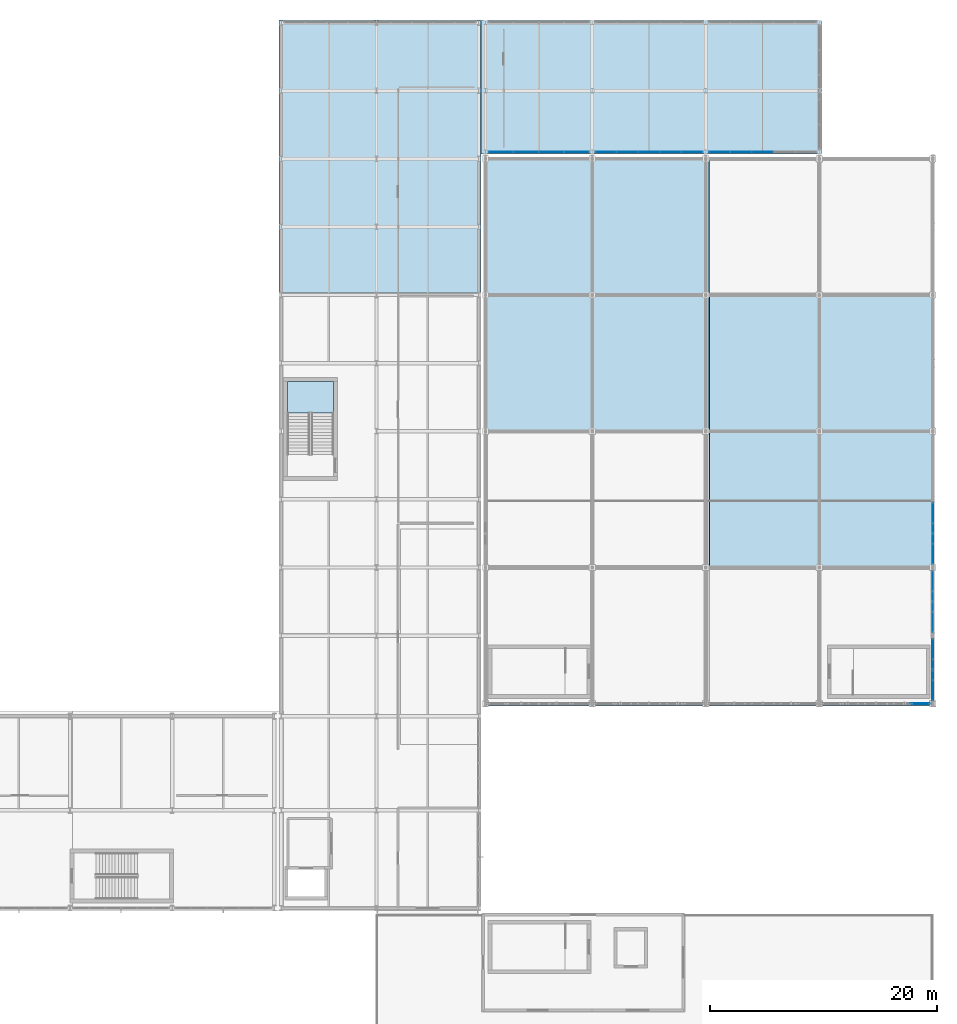
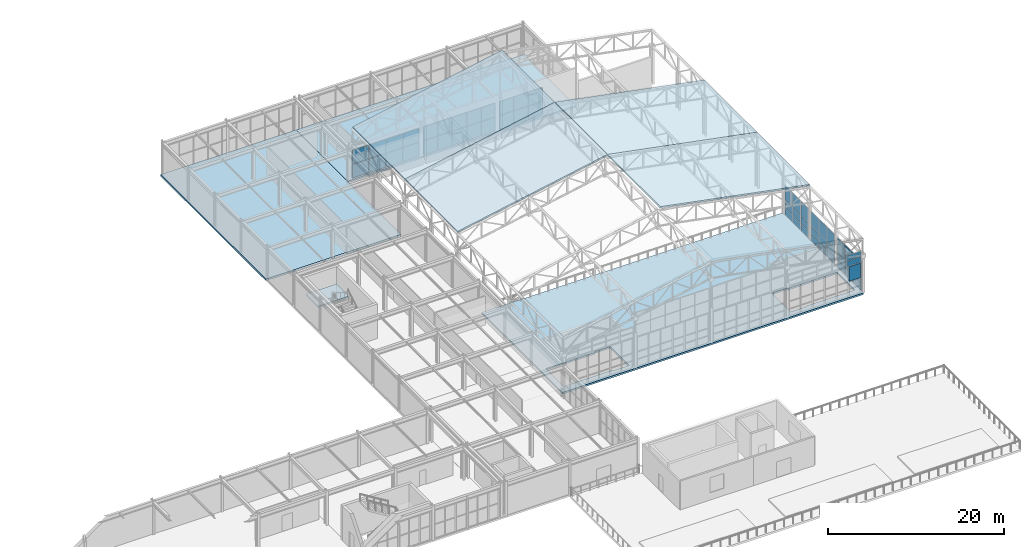
# One storey, part 92 of 112: 54 plates, 8 slabs, 10 elements without a shape of their own.
"""IFC4 building model written with IfcOpenShell, lengths in metres."""

import ifcopenshell
import ifcopenshell.guid

model = None  # the IFC model being written
_history = None  # IfcOwnerHistory: only IFC2X3 demands one
_inside = {}  # id of a spatial element -> (the spatial element, [elements in it])
_under = {}  # id of a project, library or spatial element -> (it, [spatial elements below it])
_declared = {}  # id of a project -> (the project, [libraries it declares])
_typed = {}  # id of a type object -> (the type object, [elements of that type])
_made_of = {}  # id of a material, layer set ... -> (it, [elements and type objects made of it])


def new_model(schema):
    """Start an empty IFC model of exactly this schema.

    Asked for "IFC4X3", IfcOpenShell would pick the latest addendum, in which some entities
    have other attributes; the version numbers below select the first issue.
    IFC2X3 requires an IfcOwnerHistory on every rooted entity: one is made here for all.
    """
    global model, _history
    if schema == "IFC4X3":
        model = ifcopenshell.file(schema_version=(4, 3, 0, 0))
    else:
        model = ifcopenshell.file(schema=schema)
    _inside.clear()
    _under.clear()
    _declared.clear()
    _typed.clear()
    _made_of.clear()
    _history = None
    if model.schema == "IFC2X3":
        org = make("IfcOrganization", Name="unknown")
        user = make(
            "IfcPersonAndOrganization",
            ThePerson=make("IfcPerson", FamilyName="unknown"),
            TheOrganization=org,
        )
        app = make(
            "IfcApplication",
            ApplicationDeveloper=org,
            Version="unknown",
            ApplicationFullName="unknown",
            ApplicationIdentifier="unknown",
        )
        _history = make(
            "IfcOwnerHistory",
            OwningUser=user,
            OwningApplication=app,
            ChangeAction="ADDED",
            CreationDate=0,
        )
    return model


def make(cls, **values):
    """One entity of the class cls with the attributes given. An attribute that is None is left unset."""
    return model.create_entity(
        cls, **{name: value for name, value in values.items() if value is not None}
    )


def rooted(cls, **values):
    """An entity with a GlobalId (a new one), such as an element, a storey or a relation."""
    return make(cls, GlobalId=ifcopenshell.guid.new(), OwnerHistory=_history, **values)


def si_unit(unit_type, name, prefix=None):
    """IfcSIUnit, for example si_unit("LENGTHUNIT", "METRE", prefix="MILLI")."""
    return make("IfcSIUnit", UnitType=unit_type, Prefix=prefix, Name=name)


def assignment(units):
    """IfcUnitAssignment: the units of a project."""
    return None if units is None else make("IfcUnitAssignment", Units=units)


def point(xyz):
    """IfcCartesianPoint."""
    return None if xyz is None else make("IfcCartesianPoint", Coordinates=xyz)


def direction(xyz):
    """IfcDirection."""
    return None if xyz is None else make("IfcDirection", DirectionRatios=xyz)


def frame(location, z_axis=None, x_axis=None):
    """IfcAxis2Placement3D, a coordinate frame: its origin and axes. An axis left out is left unset."""
    return make(
        "IfcAxis2Placement3D",
        Location=point(location),
        Axis=direction(z_axis),
        RefDirection=direction(x_axis),
    )


def frame_2d(location, x_axis=None):
    """IfcAxis2Placement2D, a coordinate frame in the plane: its origin and x axis."""
    return make(
        "IfcAxis2Placement2D", Location=point(location), RefDirection=direction(x_axis)
    )


def origin():
    """The frame at (0, 0, 0) with its axes left unset."""
    return frame((0.0, 0.0, 0.0))


def origin_2d():
    """The frame at (0, 0) in the plane with its x axis left unset."""
    return frame_2d((0.0, 0.0))


def place(relative_to, where):
    """IfcLocalPlacement: puts the frame where relative to a parent placement (None: the world)."""
    return make(
        "IfcLocalPlacement", PlacementRelTo=relative_to, RelativePlacement=where
    )


def context(
    kind, dimensions, precision=None, world=None, true_north=None, identifier=None
):
    """IfcGeometricRepresentationContext, for example the 3D "Model" context."""
    return make(
        "IfcGeometricRepresentationContext",
        ContextIdentifier=identifier,
        ContextType=kind,
        CoordinateSpaceDimension=dimensions,
        Precision=precision,
        WorldCoordinateSystem=world,
        TrueNorth=true_north,
    )


def subcontext(parent, identifier, kind, view, scale=None):
    """IfcGeometricRepresentationSubContext, for example "Body" below "Model"."""
    return make(
        "IfcGeometricRepresentationSubContext",
        ContextIdentifier=identifier,
        ContextType=kind,
        ParentContext=parent,
        TargetScale=scale,
        TargetView=view,
    )


def project(units=None, contexts=None):
    """IfcProject with its units and contexts."""
    return rooted(
        "IfcProject",
        Name="project",
        RepresentationContexts=contexts,
        UnitsInContext=assignment(units),
    )


def spatial(cls, under=None, at=None, **own):
    """A site, building, storey or space (cls), placed at a placement, below another one or the project."""
    s = rooted(cls, ObjectPlacement=at, **own)
    if under is not None:
        _under.setdefault(under.id(), (under, []))[1].append(s)
    return s


def polyline(points):
    """IfcPolyline through the points."""
    return make("IfcPolyline", Points=[point(p) for p in points])


def profile(cls, at=None, kind="AREA", **sizes):
    """A parametric profile (cls). Its sizes go by their IFC names, for example OverallWidth=200.0."""
    return make(cls, ProfileType=kind, Position=at, **sizes)


def rectangle(**sizes):
    """IfcRectangleProfileDef."""
    return profile("IfcRectangleProfileDef", **sizes)


def outline(outer, holes=None, kind="AREA"):
    """IfcArbitraryClosedProfileDef: a profile drawn as a closed curve; with holes, ...WithVoids."""
    if holes is None:
        return make("IfcArbitraryClosedProfileDef", ProfileType=kind, OuterCurve=outer)
    return make(
        "IfcArbitraryProfileDefWithVoids",
        ProfileType=kind,
        OuterCurve=outer,
        InnerCurves=holes,
    )


def extrude(swept, where, along, depth):
    """IfcExtrudedAreaSolid: the profile swept, set in the frame where, extruded along a direction by depth."""
    return make(
        "IfcExtrudedAreaSolid",
        SweptArea=swept,
        Position=where,
        ExtrudedDirection=direction(along),
        Depth=depth,
    )


def shape(context_of_items, identifier, shape_type, items):
    """IfcShapeRepresentation: the items that make up one representation, for example the "Body"."""
    return make(
        "IfcShapeRepresentation",
        ContextOfItems=context_of_items,
        RepresentationIdentifier=identifier,
        RepresentationType=shape_type,
        Items=items,
    )


def material(Name=None, Category=None):
    """IfcMaterial."""
    return make("IfcMaterial", Name=Name, Category=Category)


def layer(
    of_material, thickness, ventilated=None, Name=None, Category=None, Priority=None
):
    """IfcMaterialLayer: one layer of a wall or slab, of a material (None: an air gap)."""
    return make(
        "IfcMaterialLayer",
        Material=of_material,
        LayerThickness=thickness,
        IsVentilated=ventilated,
        Name=Name,
        Category=Category,
        Priority=Priority,
    )


def layer_set(layers, Name=None):
    """IfcMaterialLayerSet."""
    return make("IfcMaterialLayerSet", MaterialLayers=layers, LayerSetName=Name)


def made_of(thing, what):
    """Note that an element or type object is made of a material, layer set ...; save() writes the relation."""
    if what is not None:
        _made_of.setdefault(what.id(), (what, []))[1].append(thing)
    return thing


def type_object(cls, material=None, **own):
    """A type object (cls), such as IfcWallType, which elements share."""
    return made_of(rooted(cls, **own), material)


def element(
    cls,
    number,
    at=None,
    inside=None,
    cuts=None,
    type_object=None,
    material=None,
    context=None,
    identifier="Body",
    shape_type=None,
    held_by="IfcProductDefinitionShape",
    body=None,
    shapes=None,
    **own,
):
    """One element of the class cls, such as IfcWall. Its Tag is "e" and its number.

    at: its placement. inside: the storey or other place that contains it. cuts: it is an
    opening in that element (IfcRelVoidsElement). A single representation is given by context,
    identifier, shape_type and body (its items); several are given by shapes. held_by: the class
    of the entity that holds the representations. save() writes the other relations.
    """
    e = rooted(cls, Tag="e%d" % number, ObjectPlacement=at, **own)
    if body is not None:
        shapes = [shape(context, identifier, shape_type, body)]
    if shapes is not None:
        e.Representation = make(held_by, Representations=shapes)
    if inside is not None:
        _inside.setdefault(inside.id(), (inside, []))[1].append(e)
    if cuts is not None:
        rooted(
            "IfcRelVoidsElement", RelatingBuildingElement=cuts, RelatedOpeningElement=e
        )
    if type_object is not None:
        _typed.setdefault(type_object.id(), (type_object, []))[1].append(e)
    return made_of(e, material)


def aggregate(whole, parts):
    """IfcRelAggregates: a whole, such as a stair, and the parts it consists of."""
    return rooted("IfcRelAggregates", RelatingObject=whole, RelatedObjects=parts)


def save(model, path):
    """Write the relations noted so far, then the file.

    IfcRelAggregates (storeys below a building ...), IfcRelContainedInSpatialStructure (elements
    in a storey), IfcRelDefinesByType, IfcRelAssociatesMaterial and IfcRelDeclares: one each for
    every whole, place, type object, material and project.
    """
    for whole, parts in _under.values():
        aggregate(whole, parts)
    for where, things in _inside.values():
        rooted(
            "IfcRelContainedInSpatialStructure",
            RelatedElements=things,
            RelatingStructure=where,
        )
    for kind, things in _typed.values():
        rooted("IfcRelDefinesByType", RelatedObjects=things, RelatingType=kind)
    for what, things in _made_of.values():
        rooted("IfcRelAssociatesMaterial", RelatedObjects=things, RelatingMaterial=what)
    for by, libraries in _declared.values():
        rooted("IfcRelDeclares", RelatingContext=by, RelatedDefinitions=libraries)
    model.write(path)


model = new_model("IFC4")

# Units and contexts
model_context = context("Model", 3, precision=1e-05, world=origin(), true_north=direction((0.0, 1.0)))
body_context = subcontext(model_context, "Body", "Model", "MODEL_VIEW")
ifc_project = project(units=[si_unit("LENGTHUNIT", "METRE"), si_unit("AREAUNIT", "SQUARE_METRE"), si_unit("VOLUMEUNIT", "CUBIC_METRE"), si_unit("PLANEANGLEUNIT", "RADIAN"), si_unit("MASSUNIT", "GRAM", prefix="KILO")], contexts=[model_context])

# Site, building, storey
site_placement = place(None, origin())
site = spatial("IfcSite", under=ifc_project, at=site_placement, CompositionType="ELEMENT")
building_placement = place(site_placement, origin())
building = spatial("IfcBuilding", under=site, at=building_placement, Name="Kaldris Quays Convention Centre", CompositionType="ELEMENT")
storey_placement = place(building_placement, frame((0.0, 0.0, 16.800048828125)))
storey = spatial("IfcBuildingStorey", under=building, at=storey_placement, Name="L03", CompositionType="ELEMENT", Elevation=16.800048828125)

# Curtain wall, plates
ifc_material_1 = material(Name="Anodized aluminium AW-6060 and triple glazing", Category="aluminium")
curtain_wall_type_1 = type_object("IfcCurtainWallType", Name="UNITISED CURTAIN WALL CW02", PredefinedType="NOTDEFINED", material=ifc_material_1)
curtain_wall_1_placement = place(storey_placement, origin())
curtain_wall_1 = element("IfcCurtainWall", 1, at=curtain_wall_1_placement, inside=storey, type_object=curtain_wall_type_1, Name="L03 Unitised Curtain Wall CW02 41", PredefinedType="NOTDEFINED")
ifc_material_2 = material(Name="Triple low-E insulated glazing", Category="glass")
plate_type_1 = type_object("IfcPlateType", Name="CURTAIN GLAZING PANEL CWP1", PredefinedType="CURTAIN_PANEL", material=ifc_material_2)
plate_1_placement = place(storey_placement, frame((204.0, 63.181640625, 0.06005859375), z_axis=(0.0, 0.0, 1.0), x_axis=(0.0, 1.0, 0.0)))
plate_1 = element("IfcPlate", 2, at=plate_1_placement, type_object=plate_type_1, Name="CW02 panel 1.1", PredefinedType="CURTAIN_PANEL", context=body_context, shape_type="SweptSolid", body=[
    extrude(rectangle(XDim=1.743408203125, YDim=0.029052734375, at=origin_2d()), origin(), (0.0, 0.0, 1.0), 0.9599609375),
])
plate_2_placement = place(storey_placement, frame((204.0, 63.181640625, 1.080078125), z_axis=(0.0, 0.0, 1.0), x_axis=(0.0, 1.0, 0.0)))
plate_2 = element("IfcPlate", 3, at=plate_2_placement, type_object=plate_type_1, Name="CW02 panel 1.2", PredefinedType="CURTAIN_PANEL", context=body_context, shape_type="SweptSolid", body=[
    extrude(rectangle(XDim=1.743408203125, YDim=0.029052734375, at=origin_2d()), origin(), (0.0, 0.0, 1.0), 0.989990234375),
])
plate_3_placement = place(storey_placement, frame((204.0, 63.181640625, 2.1298828125), z_axis=(0.0, 0.0, 1.0), x_axis=(0.0, 1.0, 0.0)))
plate_3 = element("IfcPlate", 4, at=plate_3_placement, type_object=plate_type_1, Name="CW02 panel 1.3", PredefinedType="CURTAIN_PANEL", context=body_context, shape_type="SweptSolid", body=[
    extrude(rectangle(XDim=1.743408203125, YDim=0.029052734375, at=origin_2d()), origin(), (0.0, 0.0, 1.0), 2.010009765625),
])
plate_4_placement = place(storey_placement, frame((204.0, 65.0, 0.06005859375), z_axis=(0.0, 0.0, 1.0), x_axis=(0.0, 1.0, 0.0)))
plate_4 = element("IfcPlate", 5, at=plate_4_placement, type_object=plate_type_1, Name="CW02 panel 2.1", PredefinedType="CURTAIN_PANEL", context=body_context, shape_type="SweptSolid", body=[
    extrude(rectangle(XDim=1.7734375, YDim=0.029052734375, at=origin_2d()), origin(), (0.0, 0.0, 1.0), 0.9599609375),
])
plate_5_placement = place(storey_placement, frame((204.0, 65.0, 1.080078125), z_axis=(0.0, 0.0, 1.0), x_axis=(0.0, 1.0, 0.0)))
plate_5 = element("IfcPlate", 6, at=plate_5_placement, type_object=plate_type_1, Name="CW02 panel 2.2", PredefinedType="CURTAIN_PANEL", context=body_context, shape_type="SweptSolid", body=[
    extrude(rectangle(XDim=1.7734375, YDim=0.029052734375, at=origin_2d()), origin(), (0.0, 0.0, 1.0), 0.989990234375),
])
plate_6_placement = place(storey_placement, frame((204.0, 65.0, 2.1298828125), z_axis=(0.0, 0.0, 1.0), x_axis=(0.0, 1.0, 0.0)))
plate_6 = element("IfcPlate", 7, at=plate_6_placement, type_object=plate_type_1, Name="CW02 panel 2.3", PredefinedType="CURTAIN_PANEL", context=body_context, shape_type="SweptSolid", body=[
    extrude(rectangle(XDim=1.7734375, YDim=0.029052734375, at=origin_2d()), origin(), (0.0, 0.0, 1.0), 2.010009765625),
])
plate_7_placement = place(storey_placement, frame((204.0, 66.818359375, 0.06005859375), z_axis=(0.0, 0.0, 1.0), x_axis=(0.0, 1.0, 0.0)))
plate_7 = element("IfcPlate", 8, at=plate_7_placement, type_object=plate_type_1, Name="CW02 panel 3.1", PredefinedType="CURTAIN_PANEL", context=body_context, shape_type="SweptSolid", body=[
    extrude(rectangle(XDim=1.743408203125, YDim=0.029052734375, at=origin_2d()), origin(), (0.0, 0.0, 1.0), 0.9599609375),
])
plate_8_placement = place(storey_placement, frame((204.0, 66.818359375, 1.080078125), z_axis=(0.0, 0.0, 1.0), x_axis=(0.0, 1.0, 0.0)))
plate_8 = element("IfcPlate", 9, at=plate_8_placement, type_object=plate_type_1, Name="CW02 panel 3.2", PredefinedType="CURTAIN_PANEL", context=body_context, shape_type="SweptSolid", body=[
    extrude(rectangle(XDim=1.743408203125, YDim=0.029052734375, at=origin_2d()), origin(), (0.0, 0.0, 1.0), 0.989990234375),
])
plate_9_placement = place(storey_placement, frame((204.0, 66.818359375, 2.1298828125), z_axis=(0.0, 0.0, 1.0), x_axis=(0.0, 1.0, 0.0)))
plate_9 = element("IfcPlate", 10, at=plate_9_placement, type_object=plate_type_1, Name="CW02 panel 3.3", PredefinedType="CURTAIN_PANEL", context=body_context, shape_type="SweptSolid", body=[
    extrude(rectangle(XDim=1.743408203125, YDim=0.029052734375, at=origin_2d()), origin(), (0.0, 0.0, 1.0), 2.010009765625),
])
aggregate(curtain_wall_1, [plate_1, plate_2, plate_3, plate_4, plate_5, plate_6, plate_7, plate_8, plate_9])

curtain_wall_2_placement = place(storey_placement, origin())
curtain_wall_2 = element("IfcCurtainWall", 11, at=curtain_wall_2_placement, inside=storey, type_object=curtain_wall_type_1, Name="L03 Unitised Curtain Wall CW02 42", PredefinedType="NOTDEFINED")
plate_type_2 = type_object("IfcPlateType", Name="CURTAIN GLAZING PANEL CWP2", PredefinedType="CURTAIN_PANEL", material=ifc_material_2)
plate_10_placement = place(storey_placement, frame((204.0, 69.181640625, 0.06005859375), z_axis=(0.0, 0.0, 1.0), x_axis=(0.0, 1.0, 0.0)))
plate_10 = element("IfcPlate", 12, at=plate_10_placement, type_object=plate_type_2, Name="CW02 panel 1.1", PredefinedType="CURTAIN_PANEL", context=body_context, shape_type="SweptSolid", body=[
    extrude(rectangle(XDim=1.743408203125, YDim=0.033935546875, at=origin_2d()), origin(), (0.0, 0.0, 1.0), 0.9599609375),
])
plate_11_placement = place(storey_placement, frame((204.0, 69.181640625, 1.080078125), z_axis=(0.0, 0.0, 1.0), x_axis=(0.0, 1.0, 0.0)))
plate_11 = element("IfcPlate", 13, at=plate_11_placement, type_object=plate_type_2, Name="CW02 panel 1.2", PredefinedType="CURTAIN_PANEL", context=body_context, shape_type="SweptSolid", body=[
    extrude(rectangle(XDim=1.743408203125, YDim=0.033935546875, at=origin_2d()), origin(), (0.0, 0.0, 1.0), 0.989990234375),
])
plate_12_placement = place(storey_placement, frame((204.0, 69.181640625, 2.1298828125), z_axis=(0.0, 0.0, 1.0), x_axis=(0.0, 1.0, 0.0)))
plate_12 = element("IfcPlate", 14, at=plate_12_placement, type_object=plate_type_2, Name="CW02 panel 1.3", PredefinedType="CURTAIN_PANEL", context=body_context, shape_type="SweptSolid", body=[
    extrude(rectangle(XDim=1.743408203125, YDim=0.033935546875, at=origin_2d()), origin(), (0.0, 0.0, 1.0), 2.010009765625),
])
plate_13_placement = place(storey_placement, frame((204.0, 71.0, 0.06005859375), z_axis=(0.0, 0.0, 1.0), x_axis=(0.0, 1.0, 0.0)))
plate_13 = element("IfcPlate", 15, at=plate_13_placement, type_object=plate_type_2, Name="CW02 panel 2.1", PredefinedType="CURTAIN_PANEL", context=body_context, shape_type="SweptSolid", body=[
    extrude(rectangle(XDim=1.7734375, YDim=0.033935546875, at=origin_2d()), origin(), (0.0, 0.0, 1.0), 0.9599609375),
])
plate_14_placement = place(storey_placement, frame((204.0, 71.0, 1.080078125), z_axis=(0.0, 0.0, 1.0), x_axis=(0.0, 1.0, 0.0)))
plate_14 = element("IfcPlate", 16, at=plate_14_placement, type_object=plate_type_2, Name="CW02 panel 2.2", PredefinedType="CURTAIN_PANEL", context=body_context, shape_type="SweptSolid", body=[
    extrude(rectangle(XDim=1.7734375, YDim=0.033935546875, at=origin_2d()), origin(), (0.0, 0.0, 1.0), 0.989990234375),
])
plate_15_placement = place(storey_placement, frame((204.0, 71.0, 2.1298828125), z_axis=(0.0, 0.0, 1.0), x_axis=(0.0, 1.0, 0.0)))
plate_15 = element("IfcPlate", 17, at=plate_15_placement, type_object=plate_type_2, Name="CW02 panel 2.3", PredefinedType="CURTAIN_PANEL", context=body_context, shape_type="SweptSolid", body=[
    extrude(rectangle(XDim=1.7734375, YDim=0.033935546875, at=origin_2d()), origin(), (0.0, 0.0, 1.0), 2.010009765625),
])
plate_16_placement = place(storey_placement, frame((204.0, 72.818359375, 0.06005859375), z_axis=(0.0, 0.0, 1.0), x_axis=(0.0, 1.0, 0.0)))
plate_16 = element("IfcPlate", 18, at=plate_16_placement, type_object=plate_type_2, Name="CW02 panel 3.1", PredefinedType="CURTAIN_PANEL", context=body_context, shape_type="SweptSolid", body=[
    extrude(rectangle(XDim=1.743408203125, YDim=0.033935546875, at=origin_2d()), origin(), (0.0, 0.0, 1.0), 0.9599609375),
])
plate_17_placement = place(storey_placement, frame((204.0, 72.818359375, 1.080078125), z_axis=(0.0, 0.0, 1.0), x_axis=(0.0, 1.0, 0.0)))
plate_17 = element("IfcPlate", 19, at=plate_17_placement, type_object=plate_type_2, Name="CW02 panel 3.2", PredefinedType="CURTAIN_PANEL", context=body_context, shape_type="SweptSolid", body=[
    extrude(rectangle(XDim=1.743408203125, YDim=0.033935546875, at=origin_2d()), origin(), (0.0, 0.0, 1.0), 0.989990234375),
])
plate_18_placement = place(storey_placement, frame((204.0, 72.818359375, 2.1298828125), z_axis=(0.0, 0.0, 1.0), x_axis=(0.0, 1.0, 0.0)))
plate_18 = element("IfcPlate", 20, at=plate_18_placement, type_object=plate_type_2, Name="CW02 panel 3.3", PredefinedType="CURTAIN_PANEL", context=body_context, shape_type="SweptSolid", body=[
    extrude(rectangle(XDim=1.743408203125, YDim=0.033935546875, at=origin_2d()), origin(), (0.0, 0.0, 1.0), 2.010009765625),
])
aggregate(curtain_wall_2, [plate_10, plate_11, plate_12, plate_13, plate_14, plate_15, plate_16, plate_17, plate_18])

curtain_wall_type_2 = type_object("IfcCurtainWallType", Name="UNITISED CURTAIN WALL CW06", PredefinedType="NOTDEFINED", material=ifc_material_1)
curtain_wall_3_placement = place(storey_placement, origin())
curtain_wall_3 = element("IfcCurtainWall", 21, at=curtain_wall_3_placement, inside=storey, type_object=curtain_wall_type_2, Name="L03 Unitised Curtain Wall CW06 178", PredefinedType="NOTDEFINED")
plate_19_placement = place(storey_placement, frame((185.215087890625, 104.60009765625, 0.059814453125), z_axis=(0.0, 0.0, 1.0), x_axis=(1.0, 0.0, 0.0)))
plate_19 = element("IfcPlate", 22, at=plate_19_placement, type_object=plate_type_2, Name="CW06 panel 1.1", PredefinedType="CURTAIN_PANEL", context=body_context, shape_type="SweptSolid", body=[
    extrude(rectangle(XDim=1.81005859375, YDim=0.033935546875, at=origin_2d()), origin(), (0.0, 0.0, 1.0), 1.89404296875),
])
plate_20_placement = place(storey_placement, frame((185.215087890625, 104.60009765625, 2.013916015625), z_axis=(0.0, 0.0, 1.0), x_axis=(1.0, 0.0, 0.0)))
plate_20 = element("IfcPlate", 23, at=plate_20_placement, type_object=plate_type_2, Name="CW06 panel 1.2", PredefinedType="CURTAIN_PANEL", context=body_context, shape_type="SweptSolid", body=[
    extrude(rectangle(XDim=1.81005859375, YDim=0.033935546875, at=origin_2d()), origin(), (0.0, 0.0, 1.0), 1.89306640625),
])
plate_21_placement = place(storey_placement, frame((187.10009765625, 104.60009765625, 0.059814453125), z_axis=(0.0, 0.0, 1.0), x_axis=(1.0, 0.0, 0.0)))
plate_21 = element("IfcPlate", 24, at=plate_21_placement, type_object=plate_type_2, Name="CW06 panel 2.1", PredefinedType="CURTAIN_PANEL", context=body_context, shape_type="SweptSolid", body=[
    extrude(rectangle(XDim=1.840087890625, YDim=0.033935546875, at=origin_2d()), origin(), (0.0, 0.0, 1.0), 1.89404296875),
])
plate_22_placement = place(storey_placement, frame((187.10009765625, 104.60009765625, 2.013916015625), z_axis=(0.0, 0.0, 1.0), x_axis=(1.0, 0.0, 0.0)))
plate_22 = element("IfcPlate", 25, at=plate_22_placement, type_object=plate_type_2, Name="CW06 panel 2.2", PredefinedType="CURTAIN_PANEL", context=body_context, shape_type="SweptSolid", body=[
    extrude(rectangle(XDim=1.840087890625, YDim=0.033935546875, at=origin_2d()), origin(), (0.0, 0.0, 1.0), 1.89306640625),
])
plate_23_placement = place(storey_placement, frame((189.0, 104.60009765625, 0.059814453125), z_axis=(0.0, 0.0, 1.0), x_axis=(1.0, 0.0, 0.0)))
plate_23 = element("IfcPlate", 26, at=plate_23_placement, type_object=plate_type_2, Name="CW06 panel 3.1", PredefinedType="CURTAIN_PANEL", context=body_context, shape_type="SweptSolid", body=[
    extrude(rectangle(XDim=1.840087890625, YDim=0.033935546875, at=origin_2d()), origin(), (0.0, 0.0, 1.0), 1.89404296875),
])
plate_24_placement = place(storey_placement, frame((189.0, 104.60009765625, 2.013916015625), z_axis=(0.0, 0.0, 1.0), x_axis=(1.0, 0.0, 0.0)))
plate_24 = element("IfcPlate", 27, at=plate_24_placement, type_object=plate_type_2, Name="CW06 panel 3.2", PredefinedType="CURTAIN_PANEL", context=body_context, shape_type="SweptSolid", body=[
    extrude(rectangle(XDim=1.840087890625, YDim=0.033935546875, at=origin_2d()), origin(), (0.0, 0.0, 1.0), 1.89306640625),
])
aggregate(curtain_wall_3, [plate_19, plate_20, plate_21, plate_22, plate_23, plate_24])

curtain_wall_type_3 = type_object("IfcCurtainWallType", Name="UNITISED CURTAIN WALL CW05", PredefinedType="NOTDEFINED", material=ifc_material_1)
curtain_wall_4_placement = place(storey_placement, origin())
curtain_wall_4 = element("IfcCurtainWall", 28, at=curtain_wall_4_placement, inside=storey, type_object=curtain_wall_type_3, Name="L03 Unitised Curtain Wall CW05 258", PredefinedType="NOTDEFINED")
plate_25_placement = place(storey_placement, frame((202.873046875, 56.0, 4.2548828125), z_axis=(0.0, 0.0, 1.0), x_axis=(1.0, 0.0, 0.0)))
plate_25 = element("IfcPlate", 29, at=plate_25_placement, type_object=plate_type_2, Name="CW05 panel 5.1", PredefinedType="CURTAIN_PANEL", context=body_context, shape_type="SweptSolid", body=[
    extrude(rectangle(XDim=1.85400390625, YDim=0.033935546875, at=origin_2d()), origin(), (0.0, 0.0, 1.0), 0.719970703125),
])
plate_26_placement = place(storey_placement, frame((202.873046875, 56.0, 5.03515625), z_axis=(0.0, 0.0, 1.0), x_axis=(1.0, 0.0, 0.0)))
plate_26 = element("IfcPlate", 30, at=plate_26_placement, type_object=plate_type_2, Name="CW05 panel 5.2", PredefinedType="CURTAIN_PANEL", context=body_context, shape_type="SweptSolid", body=[
    extrude(rectangle(XDim=1.85400390625, YDim=0.033935546875, at=origin_2d()), origin(), (0.0, 0.0, 1.0), 0.718994140625),
])
aggregate(curtain_wall_4, [plate_25, plate_26])

curtain_wall_5_placement = place(storey_placement, origin())
curtain_wall_5 = element("IfcCurtainWall", 31, at=curtain_wall_5_placement, inside=storey, type_object=curtain_wall_type_2, Name="L03 Unitised Curtain Wall CW06 174", PredefinedType="NOTDEFINED")
plate_type_3 = type_object("IfcPlateType", Name="CURTAIN GLAZING PANEL CWP6", PredefinedType="CURTAIN_PANEL", material=ifc_material_2)
plate_27_placement = place(storey_placement, frame((165.9775390625, 104.60009765625, 0.059814453125), z_axis=(0.0, 0.0, 1.0), x_axis=(1.0, 0.0, 0.0)))
plate_27 = element("IfcPlate", 32, at=plate_27_placement, type_object=plate_type_3, Name="CW06 panel 1.1", PredefinedType="CURTAIN_PANEL", context=body_context, shape_type="SweptSolid", body=[
    extrude(rectangle(XDim=2.135009765625, YDim=0.053955078125, at=origin_2d()), origin(), (0.0, 0.0, 1.0), 1.89404296875),
])
plate_28_placement = place(storey_placement, frame((165.9775390625, 104.60009765625, 2.013916015625), z_axis=(0.0, 0.0, 1.0), x_axis=(1.0, 0.0, 0.0)))
plate_28 = element("IfcPlate", 33, at=plate_28_placement, type_object=plate_type_3, Name="CW06 panel 1.2", PredefinedType="CURTAIN_PANEL", context=body_context, shape_type="SweptSolid", body=[
    extrude(rectangle(XDim=2.135009765625, YDim=0.053955078125, at=origin_2d()), origin(), (0.0, 0.0, 1.0), 1.89306640625),
])
plate_29_placement = place(storey_placement, frame((168.1875, 104.60009765625, 0.059814453125), z_axis=(0.0, 0.0, 1.0), x_axis=(1.0, 0.0, 0.0)))
plate_29 = element("IfcPlate", 34, at=plate_29_placement, type_object=plate_type_3, Name="CW06 panel 2.1", PredefinedType="CURTAIN_PANEL", context=body_context, shape_type="SweptSolid", body=[
    extrude(rectangle(XDim=2.1650390625, YDim=0.053955078125, at=origin_2d()), origin(), (0.0, 0.0, 1.0), 1.89404296875),
])
plate_30_placement = place(storey_placement, frame((168.1875, 104.60009765625, 2.013916015625), z_axis=(0.0, 0.0, 1.0), x_axis=(1.0, 0.0, 0.0)))
plate_30 = element("IfcPlate", 35, at=plate_30_placement, type_object=plate_type_3, Name="CW06 panel 2.2", PredefinedType="CURTAIN_PANEL", context=body_context, shape_type="SweptSolid", body=[
    extrude(rectangle(XDim=2.1650390625, YDim=0.053955078125, at=origin_2d()), origin(), (0.0, 0.0, 1.0), 1.89306640625),
])
plate_31_placement = place(storey_placement, frame((170.41259765625, 104.60009765625, 0.059814453125), z_axis=(0.0, 0.0, 1.0), x_axis=(1.0, 0.0, 0.0)))
plate_31 = element("IfcPlate", 36, at=plate_31_placement, type_object=plate_type_3, Name="CW06 panel 3.1", PredefinedType="CURTAIN_PANEL", context=body_context, shape_type="SweptSolid", body=[
    extrude(rectangle(XDim=2.1650390625, YDim=0.053955078125, at=origin_2d()), origin(), (0.0, 0.0, 1.0), 1.89404296875),
])
plate_32_placement = place(storey_placement, frame((170.41259765625, 104.60009765625, 2.013916015625), z_axis=(0.0, 0.0, 1.0), x_axis=(1.0, 0.0, 0.0)))
plate_32 = element("IfcPlate", 37, at=plate_32_placement, type_object=plate_type_3, Name="CW06 panel 3.2", PredefinedType="CURTAIN_PANEL", context=body_context, shape_type="SweptSolid", body=[
    extrude(rectangle(XDim=2.1650390625, YDim=0.053955078125, at=origin_2d()), origin(), (0.0, 0.0, 1.0), 1.89306640625),
])
plate_33_placement = place(storey_placement, frame((172.62255859375, 104.60009765625, 0.059814453125), z_axis=(0.0, 0.0, 1.0), x_axis=(1.0, 0.0, 0.0)))
plate_33 = element("IfcPlate", 38, at=plate_33_placement, type_object=plate_type_3, Name="CW06 panel 4.1", PredefinedType="CURTAIN_PANEL", context=body_context, shape_type="SweptSolid", body=[
    extrude(rectangle(XDim=2.135009765625, YDim=0.053955078125, at=origin_2d()), origin(), (0.0, 0.0, 1.0), 1.89404296875),
])
plate_34_placement = place(storey_placement, frame((172.62255859375, 104.60009765625, 2.013916015625), z_axis=(0.0, 0.0, 1.0), x_axis=(1.0, 0.0, 0.0)))
plate_34 = element("IfcPlate", 39, at=plate_34_placement, type_object=plate_type_3, Name="CW06 panel 4.2", PredefinedType="CURTAIN_PANEL", context=body_context, shape_type="SweptSolid", body=[
    extrude(rectangle(XDim=2.135009765625, YDim=0.053955078125, at=origin_2d()), origin(), (0.0, 0.0, 1.0), 1.89306640625),
])
aggregate(curtain_wall_5, [plate_27, plate_28, plate_29, plate_30, plate_31, plate_32, plate_33, plate_34])

# Curtain wall, plate
curtain_wall_type_4 = type_object("IfcCurtainWallType", Name="UNITISED CURTAIN WALL CW01", PredefinedType="NOTDEFINED", material=ifc_material_1)
curtain_wall_6_placement = place(storey_placement, origin())
curtain_wall_6 = element("IfcCurtainWall", 40, at=curtain_wall_6_placement, inside=storey, type_object=curtain_wall_type_4, Name="L03 Unitised Curtain Wall CW01 39", PredefinedType="NOTDEFINED")
plate_type_4 = type_object("IfcPlateType", Name="CURTAIN GLAZING PANEL CWP7", PredefinedType="CURTAIN_PANEL", material=ifc_material_2)
plate_35_placement = place(storey_placement, frame((202.943359375, 56.0, 2.1298828125), z_axis=(0.0, 0.0, 1.0), x_axis=(1.0, 0.0, 0.0)))
plate_35 = element("IfcPlate", 41, at=plate_35_placement, type_object=plate_type_4, Name="CW01 panel 6.3", PredefinedType="CURTAIN_PANEL", context=body_context, shape_type="SweptSolid", body=[
    extrude(rectangle(XDim=1.493408203125, YDim=0.05908203125, at=origin_2d()), origin(), (0.0, 0.0, 1.0), 2.010009765625),
])
aggregate(curtain_wall_6, [plate_35])

# Curtain wall, plates
curtain_wall_7_placement = place(storey_placement, origin())
curtain_wall_7 = element("IfcCurtainWall", 42, at=curtain_wall_7_placement, inside=storey, type_object=curtain_wall_type_1, Name="L03 Unitised Curtain Wall CW02 40", PredefinedType="NOTDEFINED")
plate_type_5 = type_object("IfcPlateType", Name="CURTAIN GLAZING PANEL CWP8", PredefinedType="CURTAIN_PANEL", material=ifc_material_2)
plate_36_placement = place(storey_placement, frame((204.0, 57.181640625, 0.06005859375), z_axis=(0.0, 0.0, 1.0), x_axis=(0.0, 1.0, 0.0)))
plate_36 = element("IfcPlate", 43, at=plate_36_placement, type_object=plate_type_5, Name="CW02 panel 1.1", PredefinedType="CURTAIN_PANEL", context=body_context, shape_type="SweptSolid", body=[
    extrude(rectangle(XDim=1.743408203125, YDim=0.06396484375, at=origin_2d()), origin(), (0.0, 0.0, 1.0), 0.9599609375),
])
plate_37_placement = place(storey_placement, frame((204.0, 57.181640625, 1.080078125), z_axis=(0.0, 0.0, 1.0), x_axis=(0.0, 1.0, 0.0)))
plate_37 = element("IfcPlate", 44, at=plate_37_placement, type_object=plate_type_5, Name="CW02 panel 1.2", PredefinedType="CURTAIN_PANEL", context=body_context, shape_type="SweptSolid", body=[
    extrude(rectangle(XDim=1.743408203125, YDim=0.06396484375, at=origin_2d()), origin(), (0.0, 0.0, 1.0), 0.989990234375),
])
plate_38_placement = place(storey_placement, frame((204.0, 57.181640625, 2.1298828125), z_axis=(0.0, 0.0, 1.0), x_axis=(0.0, 1.0, 0.0)))
plate_38 = element("IfcPlate", 45, at=plate_38_placement, type_object=plate_type_5, Name="CW02 panel 1.3", PredefinedType="CURTAIN_PANEL", context=body_context, shape_type="SweptSolid", body=[
    extrude(rectangle(XDim=1.743408203125, YDim=0.06396484375, at=origin_2d()), origin(), (0.0, 0.0, 1.0), 2.010009765625),
])
plate_39_placement = place(storey_placement, frame((204.0, 59.0, 0.06005859375), z_axis=(0.0, 0.0, 1.0), x_axis=(0.0, 1.0, 0.0)))
plate_39 = element("IfcPlate", 46, at=plate_39_placement, type_object=plate_type_5, Name="CW02 panel 2.1", PredefinedType="CURTAIN_PANEL", context=body_context, shape_type="SweptSolid", body=[
    extrude(rectangle(XDim=1.7734375, YDim=0.06396484375, at=origin_2d()), origin(), (0.0, 0.0, 1.0), 0.9599609375),
])
plate_40_placement = place(storey_placement, frame((204.0, 59.0, 1.080078125), z_axis=(0.0, 0.0, 1.0), x_axis=(0.0, 1.0, 0.0)))
plate_40 = element("IfcPlate", 47, at=plate_40_placement, type_object=plate_type_5, Name="CW02 panel 2.2", PredefinedType="CURTAIN_PANEL", context=body_context, shape_type="SweptSolid", body=[
    extrude(rectangle(XDim=1.7734375, YDim=0.06396484375, at=origin_2d()), origin(), (0.0, 0.0, 1.0), 0.989990234375),
])
plate_41_placement = place(storey_placement, frame((204.0, 59.0, 2.1298828125), z_axis=(0.0, 0.0, 1.0), x_axis=(0.0, 1.0, 0.0)))
plate_41 = element("IfcPlate", 48, at=plate_41_placement, type_object=plate_type_5, Name="CW02 panel 2.3", PredefinedType="CURTAIN_PANEL", context=body_context, shape_type="SweptSolid", body=[
    extrude(rectangle(XDim=1.7734375, YDim=0.06396484375, at=origin_2d()), origin(), (0.0, 0.0, 1.0), 2.010009765625),
])
plate_42_placement = place(storey_placement, frame((204.0, 60.818359375, 0.06005859375), z_axis=(0.0, 0.0, 1.0), x_axis=(0.0, 1.0, 0.0)))
plate_42 = element("IfcPlate", 49, at=plate_42_placement, type_object=plate_type_5, Name="CW02 panel 3.1", PredefinedType="CURTAIN_PANEL", context=body_context, shape_type="SweptSolid", body=[
    extrude(rectangle(XDim=1.743408203125, YDim=0.06396484375, at=origin_2d()), origin(), (0.0, 0.0, 1.0), 0.9599609375),
])
plate_43_placement = place(storey_placement, frame((204.0, 60.818359375, 1.080078125), z_axis=(0.0, 0.0, 1.0), x_axis=(0.0, 1.0, 0.0)))
plate_43 = element("IfcPlate", 50, at=plate_43_placement, type_object=plate_type_5, Name="CW02 panel 3.2", PredefinedType="CURTAIN_PANEL", context=body_context, shape_type="SweptSolid", body=[
    extrude(rectangle(XDim=1.743408203125, YDim=0.06396484375, at=origin_2d()), origin(), (0.0, 0.0, 1.0), 0.989990234375),
])
plate_44_placement = place(storey_placement, frame((204.0, 60.818359375, 2.1298828125), z_axis=(0.0, 0.0, 1.0), x_axis=(0.0, 1.0, 0.0)))
plate_44 = element("IfcPlate", 51, at=plate_44_placement, type_object=plate_type_5, Name="CW02 panel 3.3", PredefinedType="CURTAIN_PANEL", context=body_context, shape_type="SweptSolid", body=[
    extrude(rectangle(XDim=1.743408203125, YDim=0.06396484375, at=origin_2d()), origin(), (0.0, 0.0, 1.0), 2.010009765625),
])
aggregate(curtain_wall_7, [plate_36, plate_37, plate_38, plate_39, plate_40, plate_41, plate_42, plate_43, plate_44])

curtain_wall_8_placement = place(storey_placement, origin())
curtain_wall_8 = element("IfcCurtainWall", 52, at=curtain_wall_8_placement, inside=storey, type_object=curtain_wall_type_2, Name="L03 Unitised Curtain Wall CW06 176", PredefinedType="NOTDEFINED")
plate_45_placement = place(storey_placement, frame((175.215087890625, 104.60009765625, 0.059814453125), z_axis=(0.0, 0.0, 1.0), x_axis=(1.0, 0.0, 0.0)))
plate_45 = element("IfcPlate", 53, at=plate_45_placement, type_object=plate_type_5, Name="CW06 panel 1.1", PredefinedType="CURTAIN_PANEL", context=body_context, shape_type="SweptSolid", body=[
    extrude(rectangle(XDim=1.81005859375, YDim=0.06396484375, at=origin_2d()), origin(), (0.0, 0.0, 1.0), 1.89404296875),
])
plate_46_placement = place(storey_placement, frame((175.215087890625, 104.60009765625, 2.013916015625), z_axis=(0.0, 0.0, 1.0), x_axis=(1.0, 0.0, 0.0)))
plate_46 = element("IfcPlate", 54, at=plate_46_placement, type_object=plate_type_5, Name="CW06 panel 1.2", PredefinedType="CURTAIN_PANEL", context=body_context, shape_type="SweptSolid", body=[
    extrude(rectangle(XDim=1.81005859375, YDim=0.06396484375, at=origin_2d()), origin(), (0.0, 0.0, 1.0), 1.89306640625),
])
plate_47_placement = place(storey_placement, frame((177.10009765625, 104.60009765625, 0.059814453125), z_axis=(0.0, 0.0, 1.0), x_axis=(1.0, 0.0, 0.0)))
plate_47 = element("IfcPlate", 55, at=plate_47_placement, type_object=plate_type_5, Name="CW06 panel 2.1", PredefinedType="CURTAIN_PANEL", context=body_context, shape_type="SweptSolid", body=[
    extrude(rectangle(XDim=1.840087890625, YDim=0.06396484375, at=origin_2d()), origin(), (0.0, 0.0, 1.0), 1.89404296875),
])
plate_48_placement = place(storey_placement, frame((177.10009765625, 104.60009765625, 2.013916015625), z_axis=(0.0, 0.0, 1.0), x_axis=(1.0, 0.0, 0.0)))
plate_48 = element("IfcPlate", 56, at=plate_48_placement, type_object=plate_type_5, Name="CW06 panel 2.2", PredefinedType="CURTAIN_PANEL", context=body_context, shape_type="SweptSolid", body=[
    extrude(rectangle(XDim=1.840087890625, YDim=0.06396484375, at=origin_2d()), origin(), (0.0, 0.0, 1.0), 1.89306640625),
])
plate_49_placement = place(storey_placement, frame((179.0, 104.60009765625, 0.059814453125), z_axis=(0.0, 0.0, 1.0), x_axis=(1.0, 0.0, 0.0)))
plate_49 = element("IfcPlate", 57, at=plate_49_placement, type_object=plate_type_5, Name="CW06 panel 3.1", PredefinedType="CURTAIN_PANEL", context=body_context, shape_type="SweptSolid", body=[
    extrude(rectangle(XDim=1.840087890625, YDim=0.06396484375, at=origin_2d()), origin(), (0.0, 0.0, 1.0), 1.89404296875),
])
plate_50_placement = place(storey_placement, frame((179.0, 104.60009765625, 2.013916015625), z_axis=(0.0, 0.0, 1.0), x_axis=(1.0, 0.0, 0.0)))
plate_50 = element("IfcPlate", 58, at=plate_50_placement, type_object=plate_type_5, Name="CW06 panel 3.2", PredefinedType="CURTAIN_PANEL", context=body_context, shape_type="SweptSolid", body=[
    extrude(rectangle(XDim=1.840087890625, YDim=0.06396484375, at=origin_2d()), origin(), (0.0, 0.0, 1.0), 1.89306640625),
])
plate_51_placement = place(storey_placement, frame((180.89990234375, 104.60009765625, 0.059814453125), z_axis=(0.0, 0.0, 1.0), x_axis=(1.0, 0.0, 0.0)))
plate_51 = element("IfcPlate", 59, at=plate_51_placement, type_object=plate_type_5, Name="CW06 panel 4.1", PredefinedType="CURTAIN_PANEL", context=body_context, shape_type="SweptSolid", body=[
    extrude(rectangle(XDim=1.840087890625, YDim=0.06396484375, at=origin_2d()), origin(), (0.0, 0.0, 1.0), 1.89404296875),
])
plate_52_placement = place(storey_placement, frame((180.89990234375, 104.60009765625, 2.013916015625), z_axis=(0.0, 0.0, 1.0), x_axis=(1.0, 0.0, 0.0)))
plate_52 = element("IfcPlate", 60, at=plate_52_placement, type_object=plate_type_5, Name="CW06 panel 4.2", PredefinedType="CURTAIN_PANEL", context=body_context, shape_type="SweptSolid", body=[
    extrude(rectangle(XDim=1.840087890625, YDim=0.06396484375, at=origin_2d()), origin(), (0.0, 0.0, 1.0), 1.89306640625),
])
plate_53_placement = place(storey_placement, frame((182.784912109375, 104.60009765625, 0.059814453125), z_axis=(0.0, 0.0, 1.0), x_axis=(1.0, 0.0, 0.0)))
plate_53 = element("IfcPlate", 61, at=plate_53_placement, type_object=plate_type_5, Name="CW06 panel 5.1", PredefinedType="CURTAIN_PANEL", context=body_context, shape_type="SweptSolid", body=[
    extrude(rectangle(XDim=1.81005859375, YDim=0.06396484375, at=origin_2d()), origin(), (0.0, 0.0, 1.0), 1.89404296875),
])
plate_54_placement = place(storey_placement, frame((182.784912109375, 104.60009765625, 2.013916015625), z_axis=(0.0, 0.0, 1.0), x_axis=(1.0, 0.0, 0.0)))
plate_54 = element("IfcPlate", 62, at=plate_54_placement, type_object=plate_type_5, Name="CW06 panel 5.2", PredefinedType="CURTAIN_PANEL", context=body_context, shape_type="SweptSolid", body=[
    extrude(rectangle(XDim=1.81005859375, YDim=0.06396484375, at=origin_2d()), origin(), (0.0, 0.0, 1.0), 1.89306640625),
])
aggregate(curtain_wall_8, [plate_45, plate_46, plate_47, plate_48, plate_49, plate_50, plate_51, plate_52, plate_53, plate_54])

# Stair, slab
ifc_material_3 = material(Name="Concrete C35/45", Category="concrete")
stair_type = type_object("IfcStairType", Name="DOGLEG ESCAPE STAIR STF3", PredefinedType="TWO_STRAIGHT_RUN_STAIR", material=ifc_material_3)
stair_placement = place(storey_placement, origin())
stair = element("IfcStair", 63, at=stair_placement, inside=storey, type_object=stair_type, Name="L03 Escape Stair ST14", PredefinedType="TWO_STRAIGHT_RUN_STAIR")
ifc_layer_1 = layer(ifc_material_3, 0.22802734375)
ifc_layer_set_1 = layer_set([ifc_layer_1], Name="Concrete C35/45")
slab_type_1 = type_object("IfcSlabType", Name="STAIR LANDING SLAB LS02", PredefinedType="LANDING", material=ifc_layer_set_1)
slab_1_placement = place(storey_placement, frame((0.0, 0.0, 2.171875)))
slab_1 = element("IfcSlab", 64, at=slab_1_placement, type_object=slab_type_1, Name="STF3 landing 1", PredefinedType="LANDING", context=body_context, shape_type="SweptSolid", body=[
    extrude(outline(polyline([(151.199951171875, 81.590087890625), (151.199951171875, 84.39990234375), (147.14990234375, 84.39990234375), (147.14990234375, 81.590087890625), (151.199951171875, 81.590087890625)])), origin(), (0.0, 0.0, 1.0), 0.22802734375),
])
aggregate(stair, [slab_1])

# Slabs
ifc_layer_2 = layer(ifc_material_3, 0.235107421875)
ifc_layer_set_2 = layer_set([ifc_layer_2], Name="Concrete C35/45")
slab_type_2 = type_object("IfcSlabType", Name="STRUCTURAL SLAB FS07", PredefinedType="FLOOR", material=ifc_layer_set_2)
slab_2_placement = place(storey_placement, frame((0.0, 0.0, -0.235107421875)))
element("IfcSlab", 65, at=slab_2_placement, inside=storey, type_object=slab_type_2, Name="L03 V4 L03 East 3 SLAB-L03-V4E-3", PredefinedType="FLOOR", context=body_context, shape_type="SweptSolid", body=[
    extrude(outline(polyline([(146.39990234375, 116.199951171875), (164.199951171875, 116.199951171875), (164.199951171875, 92.201904296875), (146.39990234375, 92.201904296875), (146.39990234375, 116.199951171875)])), origin(), (0.0, 0.0, 1.0), 0.235107421875),
])
slab_3_placement = place(storey_placement, frame((0.0, 0.0, -0.235107421875)))
element("IfcSlab", 66, at=slab_3_placement, inside=storey, type_object=slab_type_2, Name="L03 V4 L03 NE SLAB-L03-V4NE", PredefinedType="FLOOR", context=body_context, shape_type="SweptSolid", body=[
    extrude(outline(polyline([(194.199951171875, 116.199951171875), (194.199951171875, 104.39990234375), (164.201904296875, 104.39990234375), (164.201904296875, 116.199951171875), (194.199951171875, 116.199951171875)])), origin(), (0.0, 0.0, 1.0), 0.235107421875),
])
slab_4_placement = place(storey_placement, frame((0.0, 0.0, -0.235107421875)))
element("IfcSlab", 67, at=slab_4_placement, inside=storey, type_object=slab_type_2, Name="L03 V2 L03 Technical Projection Gallery SLAB-L03-V2", PredefinedType="FLOOR", context=body_context, shape_type="SweptSolid", body=[
    extrude(outline(polyline([(164.39990234375, 55.800048828125), (164.39990234375, 74.199951171875), (204.0, 74.199951171875), (204.0, 55.800048828125), (164.39990234375, 55.800048828125)]), holes=[polyline([(171.597900390625, 60.85009765625), (165.14990234375, 60.85009765625), (165.14990234375, 56.800048828125), (171.597900390625, 56.800048828125), (171.599853515625, 56.677978515625), (173.671142578125, 56.67822265625), (173.671875, 60.970947265625), (171.599853515625, 60.971923828125), (171.597900390625, 60.85009765625)]), polyline([(197.00048828125, 60.971923828125), (194.92822265625, 60.970947265625), (194.928955078125, 56.67822265625), (197.000244140625, 56.677978515625), (197.001953125, 56.800048828125), (203.449951171875, 56.800048828125), (203.449951171875, 60.85009765625), (197.001953125, 60.85009765625), (197.00048828125, 60.971923828125)])]), origin(), (0.0, 0.0, 1.0), 0.235107421875),
])

# Roof, slabs
ifc_material_4 = material(Name="Steel S355J2", Category="steel")
ifc_layer_3 = layer(ifc_material_4, 0.175048828125)
ifc_layer_set_3 = layer_set([ifc_layer_3], Name="Steel S355J2")
roof_type = type_object("IfcRoofType", Name="SPACE FRAME GABLE ROOF RF01", PredefinedType="GABLE_ROOF", material=ifc_layer_set_3)
roof_placement = place(storey_placement, origin())
roof = element("IfcRoof", 68, at=roof_placement, inside=storey, type_object=roof_type, Name="Space-Frame Roof ROOF-V2-SF", PredefinedType="GABLE_ROOF")
ifc_layer_4 = layer(ifc_material_4, 0.18798828125)
ifc_layer_set_4 = layer_set([ifc_layer_4], Name="Steel S355J2")
slab_type_3 = type_object("IfcSlabType", Name="STRUCTURAL SLAB RS03", PredefinedType="ROOF", material=ifc_layer_set_4)
slab_5_placement = place(storey_placement, frame((164.60009765625, 80.0, 7.680908203125), z_axis=(-0.189403212689, 0.0, 0.981899395571), x_axis=(0.981899395571, 0.0, 0.189403212689)))
slab_5 = element("IfcSlab", 69, at=slab_5_placement, type_object=slab_type_3, Name="SF-V2 Pitched Roof Deck 1.3", PredefinedType="ROOF", context=body_context, shape_type="SweptSolid", body=[
    extrude(outline(polyline([(0.0, 0.0), (20.037495466685122, 0.0), (20.037495466685122, 12.0), (0.0, 12.0), (0.0, 0.0)])), origin(), (0.0, 0.0, -1.0), 0.18798828125),
])
slab_6_placement = place(storey_placement, frame((164.60009765625, 92.0, 7.680908203125), z_axis=(-0.189403212689, 0.0, 0.981899395571), x_axis=(0.981899395571, 0.0, 0.189403212689)))
slab_6 = element("IfcSlab", 70, at=slab_6_placement, type_object=slab_type_3, Name="SF-V2 Pitched Roof Deck 1.4", PredefinedType="ROOF", context=body_context, shape_type="SweptSolid", body=[
    extrude(outline(polyline([(0.0, 0.0), (20.037495466685122, 0.0), (20.037495466685122, 12.0), (0.0, 12.0), (0.0, 0.0)])), origin(), (0.0, 0.0, -1.0), 0.18798828125),
])
slab_7_placement = place(storey_placement, frame((184.324951171875, 68.0, 11.47607421875), z_axis=(0.189400946762, 0.0, 0.981899832654), x_axis=(0.981899832654, 0.0, -0.189400946762)))
slab_7 = element("IfcSlab", 71, at=slab_7_placement, type_object=slab_type_3, Name="SF-V2 Pitched Roof Deck 2.2", PredefinedType="ROOF", context=body_context, shape_type="SweptSolid", body=[
    extrude(outline(polyline([(0.0, 0.0), (20.037735188270602, 0.0), (20.037735188270602, 12.0), (0.0, 12.0), (0.0, 0.0)])), origin(), (0.0, 0.0, -1.0), 0.18798828125),
])
slab_8_placement = place(storey_placement, frame((184.324951171875, 80.0, 11.47607421875), z_axis=(0.189400946762, 0.0, 0.981899832654), x_axis=(0.981899832654, 0.0, -0.189400946762)))
slab_8 = element("IfcSlab", 72, at=slab_8_placement, type_object=slab_type_3, Name="SF-V2 Pitched Roof Deck 2.3", PredefinedType="ROOF", context=body_context, shape_type="SweptSolid", body=[
    extrude(outline(polyline([(0.0, 0.0), (20.037735188270602, 0.0), (20.037735188270602, 12.0), (0.0, 12.0), (0.0, 0.0)])), origin(), (0.0, 0.0, -1.0), 0.18798828125),
])
aggregate(roof, [slab_5, slab_6, slab_7, slab_8])

save(model, "model.ifc")
